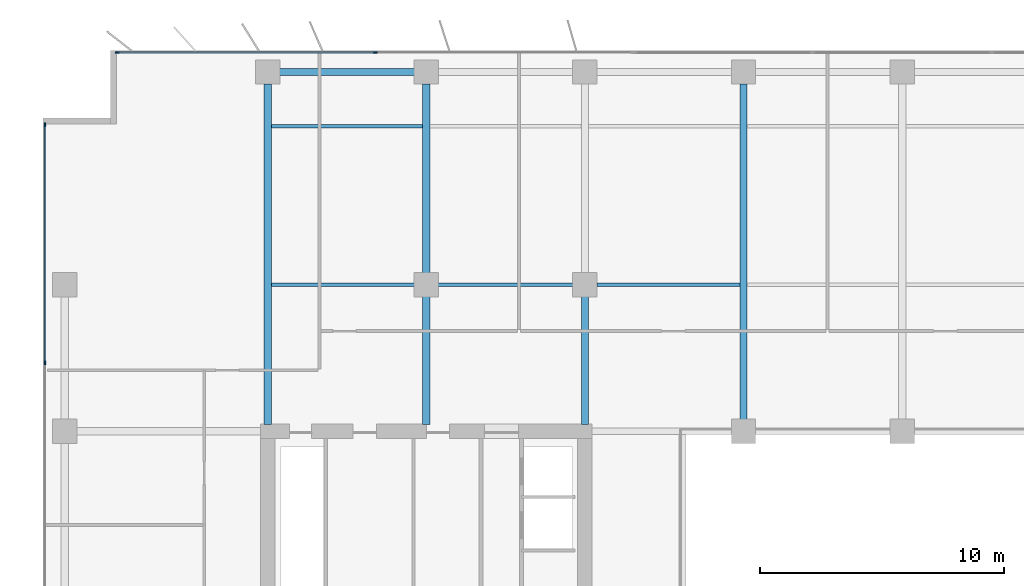
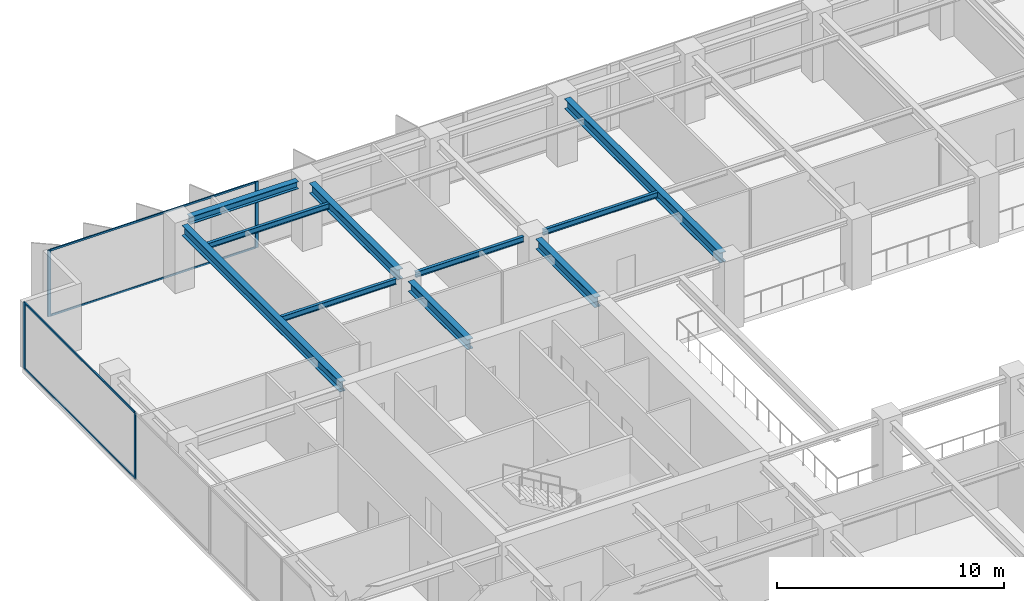
# One storey, part 8 of 22: 10 beams, 8 members, 2 elements without a shape of their own.
"""IFC4 building model written with IfcOpenShell, lengths in metres."""

from ifc_helpers import new_model, si_unit, direction, frame, origin, origin_2d, place, context, subcontext, project, spatial, rectangle, i_section, extrude, material, layer, layer_set, material_profile, profile_set, type_object, element, aggregate, save


model = new_model("IFC4")

# Units and contexts
model_context = context("Model", 3, precision=1e-05, world=origin(), true_north=direction((0.0, 1.0)))
body_context = subcontext(model_context, "Body", "Model", "MODEL_VIEW")
ifc_project = project(units=[si_unit("LENGTHUNIT", "METRE"), si_unit("AREAUNIT", "SQUARE_METRE"), si_unit("VOLUMEUNIT", "CUBIC_METRE"), si_unit("PLANEANGLEUNIT", "RADIAN"), si_unit("MASSUNIT", "GRAM", prefix="KILO")], contexts=[model_context])

# Site, building, storey
site_placement = place(None, origin())
site = spatial("IfcSite", under=ifc_project, at=site_placement, CompositionType="ELEMENT")
building_placement = place(site_placement, origin())
building = spatial("IfcBuilding", under=site, at=building_placement, Name="Putna Gate Headquarters", CompositionType="ELEMENT")
storey_placement = place(building_placement, frame((0.0, 0.0, 159.39990234375)))
storey = spatial("IfcBuildingStorey", under=building, at=storey_placement, Name="L39", CompositionType="ELEMENT", Elevation=159.39990234375)

# Beams
ifc_material_1 = material(Name="Steel S355J2", Category="steel")
ifc_material_profile_1 = material_profile(ifc_material_1, i_section(OverallWidth=0.300048828125, OverallDepth=0.550048828125, WebThickness=0.014892578125, FlangeThickness=0.029052734375, at=origin_2d()), Name="Steel S355J2")
ifc_profile_set_1 = profile_set([ifc_material_profile_1], Name="Steel S355J2")
beam_type_1 = type_object("IfcBeamType", Name="BM-GIRD-Z3-HEB550", PredefinedType="USERDEFINED", material=ifc_profile_set_1)
beam_1_placement = place(storey_placement, frame((13.0, 33.284912109375, 3.297119140625), z_axis=(0.0, 1.0, 0.0), x_axis=(-1.0, 0.0, 0.0)))
element("IfcBeam", 1, at=beam_1_placement, inside=storey, type_object=beam_type_1, Name="L39 North Primary Girder X13", ObjectType="GIRDER", PredefinedType="USERDEFINED", context=body_context, shape_type="SweptSolid", body=[
    extrude(i_section(OverallWidth=0.300048828125, OverallDepth=0.550048828125, WebThickness=0.014892578125, FlangeThickness=0.029052734375, at=origin_2d()), origin(), (0.0, 0.0, 1.0), 13.947021484375),
])
beam_2_placement = place(storey_placement, frame((19.5, 33.284912109375, 3.297119140625), z_axis=(0.0, 1.0, 0.0), x_axis=(-1.0, 0.0, 0.0)))
element("IfcBeam", 2, at=beam_2_placement, inside=storey, type_object=beam_type_1, Name="L39 North Primary Girder X19-1", ObjectType="GIRDER", PredefinedType="USERDEFINED", context=body_context, shape_type="SweptSolid", body=[
    extrude(i_section(OverallWidth=0.300048828125, OverallDepth=0.550048828125, WebThickness=0.014892578125, FlangeThickness=0.029052734375, at=origin_2d()), origin(), (0.0, 0.0, 1.0), 5.22705078125),
])
beam_3_placement = place(storey_placement, frame((19.5, 39.488037109375, 3.297119140625), z_axis=(0.0, 1.0, 0.0), x_axis=(-1.0, 0.0, 0.0)))
element("IfcBeam", 3, at=beam_3_placement, inside=storey, type_object=beam_type_1, Name="L39 North Primary Girder X19-2", ObjectType="GIRDER", PredefinedType="USERDEFINED", context=body_context, shape_type="SweptSolid", body=[
    extrude(i_section(OverallWidth=0.300048828125, OverallDepth=0.550048828125, WebThickness=0.014892578125, FlangeThickness=0.029052734375, at=origin_2d()), origin(), (0.0, 0.0, 1.0), 7.743896484375),
])
beam_4_placement = place(storey_placement, frame((26.0, 33.284912109375, 3.297119140625), z_axis=(0.0, 1.0, 0.0), x_axis=(-1.0, 0.0, 0.0)))
element("IfcBeam", 4, at=beam_4_placement, inside=storey, type_object=beam_type_1, Name="L39 North Primary Girder X26-1", ObjectType="GIRDER", PredefinedType="USERDEFINED", context=body_context, shape_type="SweptSolid", body=[
    extrude(i_section(OverallWidth=0.300048828125, OverallDepth=0.550048828125, WebThickness=0.014892578125, FlangeThickness=0.029052734375, at=origin_2d()), origin(), (0.0, 0.0, 1.0), 5.22705078125),
])
beam_5_placement = place(storey_placement, frame((32.5, 33.488037109375, 3.297119140625), z_axis=(0.0, 1.0, 0.0), x_axis=(-1.0, 0.0, 0.0)))
element("IfcBeam", 5, at=beam_5_placement, inside=storey, type_object=beam_type_1, Name="L39 North Primary Girder X32", ObjectType="GIRDER", PredefinedType="USERDEFINED", context=body_context, shape_type="SweptSolid", body=[
    extrude(i_section(OverallWidth=0.300048828125, OverallDepth=0.550048828125, WebThickness=0.014892578125, FlangeThickness=0.029052734375, at=origin_2d()), origin(), (0.0, 0.0, 1.0), 13.743896484375),
])
ifc_material_profile_2 = material_profile(ifc_material_1, i_section(OverallWidth=0.14990234375, OverallDepth=0.300048828125, WebThickness=0.007080078125, FlangeThickness=0.0107421875, at=origin_2d()), Name="Steel S355J2")
ifc_profile_set_2 = profile_set([ifc_material_profile_2], Name="Steel S355J2")
beam_type_2 = type_object("IfcBeamType", Name="BM-SEC-Z3-IPE300", PredefinedType="JOIST", material=ifc_profile_set_2)
beam_6_placement = place(storey_placement, frame((13.154052734375, 39.0, 3.422119140625), z_axis=(1.0, 0.0, 0.0), x_axis=(0.0, 1.0, 0.0)))
element("IfcBeam", 6, at=beam_6_placement, inside=storey, type_object=beam_type_2, Name="L39 North Secondary Beam 1", PredefinedType="JOIST", context=body_context, shape_type="SweptSolid", body=[
    extrude(i_section(OverallWidth=0.14990234375, OverallDepth=0.300048828125, WebThickness=0.007080078125, FlangeThickness=0.0107421875, at=origin_2d()), origin(), (0.0, 0.0, 1.0), 5.85791015625),
])
beam_7_placement = place(storey_placement, frame((13.154052734375, 45.5, 3.422119140625), z_axis=(1.0, 0.0, 0.0), x_axis=(0.0, 1.0, 0.0)))
element("IfcBeam", 7, at=beam_7_placement, inside=storey, type_object=beam_type_2, Name="L39 North Secondary Beam 1", PredefinedType="JOIST", context=body_context, shape_type="SweptSolid", body=[
    extrude(i_section(OverallWidth=0.14990234375, OverallDepth=0.300048828125, WebThickness=0.007080078125, FlangeThickness=0.0107421875, at=origin_2d()), origin(), (0.0, 0.0, 1.0), 6.19189453125),
])
beam_8_placement = place(storey_placement, frame((19.988037109375, 39.0, 3.422119140625), z_axis=(1.0, 0.0, 0.0), x_axis=(0.0, 1.0, 0.0)))
element("IfcBeam", 8, at=beam_8_placement, inside=storey, type_object=beam_type_2, Name="L39 North Secondary Beam 2", PredefinedType="JOIST", context=body_context, shape_type="SweptSolid", body=[
    extrude(i_section(OverallWidth=0.14990234375, OverallDepth=0.300048828125, WebThickness=0.007080078125, FlangeThickness=0.0107421875, at=origin_2d()), origin(), (0.0, 0.0, 1.0), 5.52392578125),
])
beam_9_placement = place(storey_placement, frame((26.488037109375, 39.0, 3.422119140625), z_axis=(1.0, 0.0, 0.0), x_axis=(0.0, 1.0, 0.0)))
element("IfcBeam", 9, at=beam_9_placement, inside=storey, type_object=beam_type_2, Name="L39 North Secondary Beam 3", PredefinedType="JOIST", context=body_context, shape_type="SweptSolid", body=[
    extrude(i_section(OverallWidth=0.14990234375, OverallDepth=0.300048828125, WebThickness=0.007080078125, FlangeThickness=0.0107421875, at=origin_2d()), origin(), (0.0, 0.0, 1.0), 5.85791015625),
])
ifc_material_profile_3 = material_profile(ifc_material_1, i_section(OverallWidth=0.300048828125, OverallDepth=0.39990234375, WebThickness=0.013427734375, FlangeThickness=0.02392578125, at=origin_2d()), Name="Steel S355J2")
ifc_profile_set_3 = profile_set([ifc_material_profile_3], Name="Steel S355J2")
beam_type_3 = type_object("IfcBeamType", Name="BM-SPAN-Z3-HEB400", PredefinedType="SPANDREL", material=ifc_profile_set_3)
beam_10_placement = place(storey_placement, frame((13.488037109375, 47.719970703125, 3.3720703125), z_axis=(1.0, 0.0, 0.0), x_axis=(0.0, 1.0, 0.0)))
element("IfcBeam", 10, at=beam_10_placement, inside=storey, type_object=beam_type_3, Name="L39 N Perimeter Spandrel 1", PredefinedType="SPANDREL", context=body_context, shape_type="SweptSolid", body=[
    extrude(i_section(OverallWidth=0.300048828125, OverallDepth=0.39990234375, WebThickness=0.013427734375, FlangeThickness=0.02392578125, at=origin_2d()), origin(), (0.0, 0.0, 1.0), 5.52392578125),
])

# Curtain wall, members
ifc_material_2 = material(Name="Anodised bronze aluminium curtain wall", Category="aluminium")
ifc_layer = layer(ifc_material_2, 0.159912109375)
ifc_layer_set = layer_set([ifc_layer], Name="Anodised bronze aluminium curtain wall")
curtain_wall_type = type_object("IfcCurtainWallType", Name="CW-SYS-Z3", PredefinedType="USERDEFINED", material=ifc_layer_set)
curtain_wall_1_placement = place(storey_placement, origin())
curtain_wall_1 = element("IfcCurtainWall", 11, at=curtain_wall_1_placement, inside=storey, type_object=curtain_wall_type, Name="L39 North West Curtain Wall", ObjectType="STICK CURTAIN WALL", PredefinedType="USERDEFINED")
ifc_material_3 = material(Name="Anodised bronze aluminium EN AW-6060", Category="aluminium")
ifc_material_profile_4 = material_profile(ifc_material_3, rectangle(XDim=0.06494140625, YDim=0.159912109375, at=origin_2d()), Name="Anodised bronze aluminium EN AW-6060")
ifc_profile_set_4 = profile_set([ifc_material_profile_4], Name="Anodised bronze aluminium EN AW-6060")
member_type_1 = type_object("IfcMemberType", Name="MULL-CWM-3", PredefinedType="MULLION", material=ifc_profile_set_4)
member_1_placement = place(storey_placement, frame((6.83251953125, 48.52001953125, 0.0), z_axis=(0.0, 0.0, 1.0), x_axis=(0.0, 1.0, 0.0)))
member_1 = element("IfcMember", 12, at=member_1_placement, type_object=member_type_1, Name="CWS-3 mullion 1", PredefinedType="MULLION", context=body_context, shape_type="SweptSolid", body=[
    extrude(rectangle(XDim=0.06494140625, YDim=0.159912109375, at=origin_2d()), origin(), (0.0, 0.0, 1.0), 3.572021484375),
])
member_2_placement = place(storey_placement, frame((17.39990234375, 48.52001953125, 0.0), z_axis=(0.0, 0.0, 1.0), x_axis=(0.0, 1.0, 0.0)))
member_2 = element("IfcMember", 13, at=member_2_placement, type_object=member_type_1, Name="CWS-3 mullion 2", PredefinedType="MULLION", context=body_context, shape_type="SweptSolid", body=[
    extrude(rectangle(XDim=0.06494140625, YDim=0.159912109375, at=origin_2d()), origin(), (0.0, 0.0, 1.0), 3.572021484375),
])

curtain_wall_2_placement = place(storey_placement, origin())
curtain_wall_2 = element("IfcCurtainWall", 14, at=curtain_wall_2_placement, inside=storey, type_object=curtain_wall_type, Name="L39 West Curtain Wall", ObjectType="STICK CURTAIN WALL", PredefinedType="USERDEFINED")
member_3_placement = place(storey_placement, frame((3.8798828125, 35.800048828125, 0.0), z_axis=(0.0, 0.0, 1.0), x_axis=(-1.0, 0.0, 0.0)))
member_3 = element("IfcMember", 15, at=member_3_placement, type_object=member_type_1, Name="CWS-3 mullion 4", PredefinedType="MULLION", context=body_context, shape_type="SweptSolid", body=[
    extrude(rectangle(XDim=0.06494140625, YDim=0.159912109375, at=origin_2d()), origin(), (0.0, 0.0, 1.0), 3.572021484375),
])
member_4_placement = place(storey_placement, frame((3.8798828125, 45.5673828125, 0.0), z_axis=(0.0, 0.0, 1.0), x_axis=(-1.0, 0.0, 0.0)))
member_4 = element("IfcMember", 16, at=member_4_placement, type_object=member_type_1, Name="CWS-3 mullion 5", PredefinedType="MULLION", context=body_context, shape_type="SweptSolid", body=[
    extrude(rectangle(XDim=0.06494140625, YDim=0.159912109375, at=origin_2d()), origin(), (0.0, 0.0, 1.0), 3.572021484375),
])

# Member
ifc_material_profile_5 = material_profile(ifc_material_3, rectangle(XDim=0.06005859375, YDim=0.10009765625, at=origin_2d()), Name="Anodised bronze aluminium EN AW-6060")
ifc_profile_set_5 = profile_set([ifc_material_profile_5], Name="Anodised bronze aluminium EN AW-6060")
member_type_2 = type_object("IfcMemberType", Name="TRAN-CWT-3", PredefinedType="USERDEFINED", material=ifc_profile_set_5)
member_5_placement = place(storey_placement, frame((6.864990234375, 48.52001953125, 0.030029296875), z_axis=(1.0, 0.0, 0.0), x_axis=(0.0, 1.0, 0.0)))
member_5 = element("IfcMember", 17, at=member_5_placement, type_object=member_type_2, Name="CWS-3 transom 1.1", ObjectType="TRANSOM", PredefinedType="USERDEFINED", context=body_context, shape_type="SweptSolid", body=[
    extrude(rectangle(XDim=0.06005859375, YDim=0.10009765625, at=origin_2d()), origin(), (0.0, 0.0, 1.0), 10.50244140625),
])

member_6_placement = place(storey_placement, frame((6.864990234375, 48.52001953125, 3.5419921875), z_axis=(1.0, 0.0, 0.0), x_axis=(0.0, 1.0, 0.0)))
member_6 = element("IfcMember", 18, at=member_6_placement, type_object=member_type_2, Name="CWS-3 transom 1.2", ObjectType="TRANSOM", PredefinedType="USERDEFINED", context=body_context, shape_type="SweptSolid", body=[
    extrude(rectangle(XDim=0.06005859375, YDim=0.10009765625, at=origin_2d()), origin(), (0.0, 0.0, 1.0), 10.50244140625),
])

aggregate(curtain_wall_1, [member_1, member_2, member_5, member_6])

member_7_placement = place(storey_placement, frame((3.8798828125, 35.83251953125, 0.030029296875), z_axis=(0.0, 1.0, 0.0), x_axis=(-1.0, 0.0, 0.0)))
member_7 = element("IfcMember", 19, at=member_7_placement, type_object=member_type_2, Name="CWS-3 transom 4.1", ObjectType="TRANSOM", PredefinedType="USERDEFINED", context=body_context, shape_type="SweptSolid", body=[
    extrude(rectangle(XDim=0.06005859375, YDim=0.10009765625, at=origin_2d()), origin(), (0.0, 0.0, 1.0), 9.702392578125),
])

member_8_placement = place(storey_placement, frame((3.8798828125, 35.83251953125, 3.5419921875), z_axis=(0.0, 1.0, 0.0), x_axis=(-1.0, 0.0, 0.0)))
member_8 = element("IfcMember", 20, at=member_8_placement, type_object=member_type_2, Name="CWS-3 transom 4.2", ObjectType="TRANSOM", PredefinedType="USERDEFINED", context=body_context, shape_type="SweptSolid", body=[
    extrude(rectangle(XDim=0.06005859375, YDim=0.10009765625, at=origin_2d()), origin(), (0.0, 0.0, 1.0), 9.702392578125),
])

aggregate(curtain_wall_2, [member_3, member_4, member_7, member_8])

save(model, "model.ifc")
